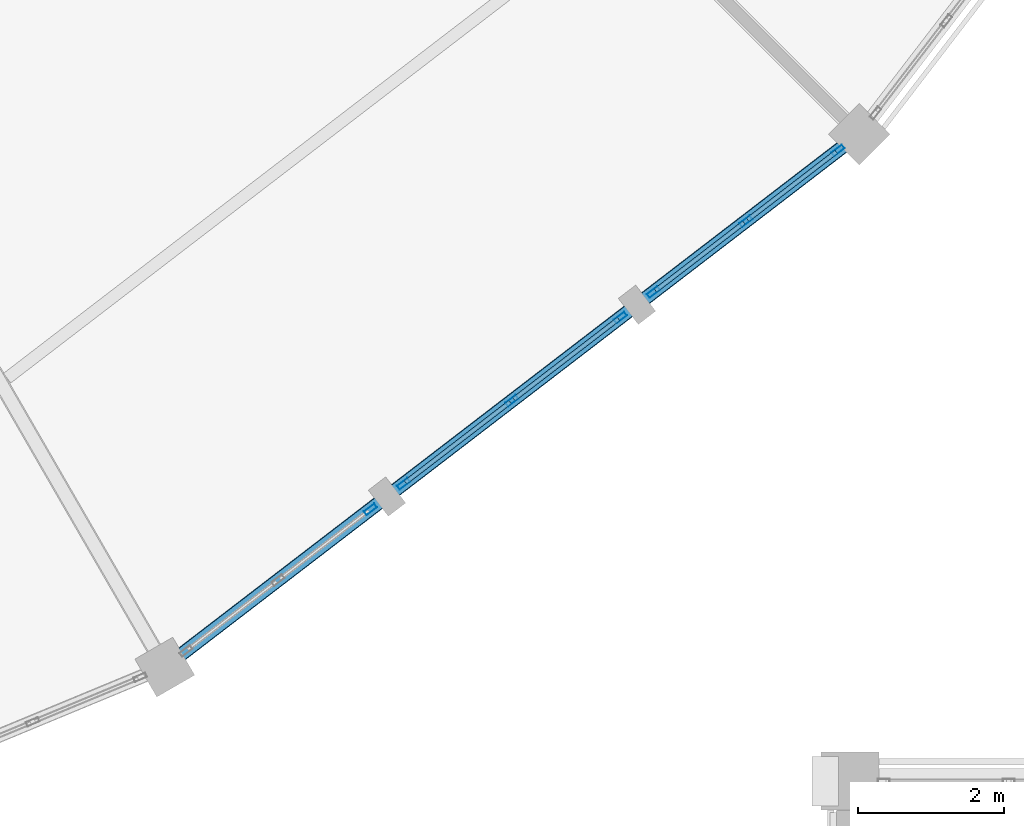
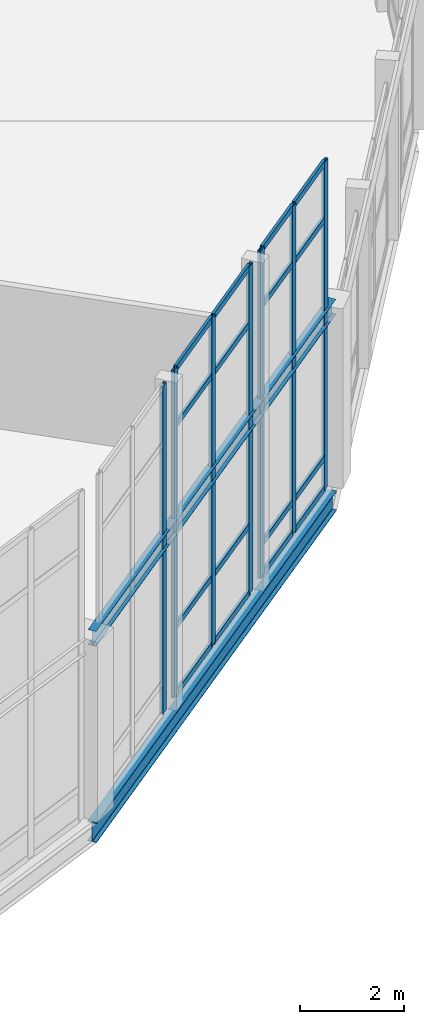
# One storey, part 93 of 170: 23 members, 2 beams, 3 elements without a shape of their own.
"""IFC4 building model written with IfcOpenShell, lengths in metres."""

from ifc_helpers import new_model, si_unit, direction, frame, origin, origin_2d, place, context, subcontext, project, spatial, hollow_rectangle, i_section, extrude, material, material_profile, profile_set, type_object, element, aggregate, save


model = new_model("IFC4")

# Units and contexts
model_context = context("Model", 3, precision=1e-05, world=origin(), true_north=direction((0.0, 1.0)))
body_context = subcontext(model_context, "Body", "Model", "MODEL_VIEW")
ifc_project = project(units=[si_unit("LENGTHUNIT", "METRE"), si_unit("AREAUNIT", "SQUARE_METRE"), si_unit("VOLUMEUNIT", "CUBIC_METRE"), si_unit("PLANEANGLEUNIT", "RADIAN"), si_unit("MASSUNIT", "GRAM", prefix="KILO")], contexts=[model_context])

# Site, building, storey
site_placement = place(None, origin())
site = spatial("IfcSite", under=ifc_project, at=site_placement, CompositionType="ELEMENT")
building_placement = place(site_placement, origin())
building = spatial("IfcBuilding", under=site, at=building_placement, Name="Vondelvale Polytechnic", CompositionType="ELEMENT")
storey_placement = place(building_placement, frame((0.0, 0.0, 5.39990234375)))
storey = spatial("IfcBuildingStorey", under=building, at=storey_placement, Name="L01", CompositionType="ELEMENT", Elevation=5.39990234375)

# Beams
ifc_material_1 = material(Name="Steel 300PLUS (fy = 300 MPa)", Category="steel")
ifc_material_profile_1 = material_profile(ifc_material_1, i_section(OverallWidth=0.1708984375, OverallDepth=0.35205078125, WebThickness=0.0068359375, FlangeThickness=0.009765625, FilletRadius=0.011474609375, at=origin_2d()), Name="360UB44.7")
ifc_profile_set_1 = profile_set([ifc_material_profile_1], Name="Steel 300PLUS (fy = 300 MPa)")
beam_type_1 = type_object("IfcBeamType", Name="BM-UB360L", PredefinedType="BEAM", material=ifc_profile_set_1)
beam_1_placement = place(storey_placement, frame((125.0, 32.162841796875, 4.024169921875), z_axis=(0.793349743808, 0.608766116008, 0.0), x_axis=(-0.608766116008, 0.793349743808, 0.0)))
element("IfcBeam", 1, at=beam_1_placement, inside=storey, type_object=beam_type_1, Name="L01 RE B-24", PredefinedType="BEAM", context=body_context, shape_type="SweptSolid", body=[
    extrude(i_section(OverallWidth=0.1708984375, OverallDepth=0.35205078125, WebThickness=0.0068359375, FlangeThickness=0.009765625, FilletRadius=0.011474609375, at=origin_2d()), origin(), (0.0, 0.0, 1.0), 12.00830078125),
])
ifc_material_profile_2 = material_profile(ifc_material_1, i_section(OverallWidth=0.18994140625, OverallDepth=0.45703125, WebThickness=0.009033203125, FlangeThickness=0.014404296875, FilletRadius=0.011474609375, at=origin_2d()), Name="460UB74.6")
ifc_profile_set_2 = profile_set([ifc_material_profile_2], Name="Steel 300PLUS (fy = 300 MPa)")
beam_type_2 = type_object("IfcBeamType", Name="BM-UB460", PredefinedType="BEAM", material=ifc_profile_set_2)
beam_2_placement = place(storey_placement, frame((125.0, 32.162841796875, -0.50830078125), z_axis=(0.793349743808, 0.608766116008, 0.0), x_axis=(-0.608766116008, 0.793349743808, 0.0)))
element("IfcBeam", 2, at=beam_2_placement, inside=storey, type_object=beam_type_2, Name="L01 RB B-13", PredefinedType="BEAM", context=body_context, shape_type="SweptSolid", body=[
    extrude(i_section(OverallWidth=0.18994140625, OverallDepth=0.45703125, WebThickness=0.009033203125, FlangeThickness=0.014404296875, FilletRadius=0.011474609375, at=origin_2d()), origin(), (0.0, 0.0, 1.0), 12.00830078125),
])

# Curtain wall, member
ifc_material_2 = material(Name="Glulam GL18 structural Tasmanian oak (fb = 42 MPa)", Category="wood")
curtain_wall_type = type_object("IfcCurtainWallType", Name="CW-RING-OUTER", PredefinedType="NOTDEFINED", material=ifc_material_2)
curtain_wall_1_placement = place(storey_placement, origin())
curtain_wall_1 = element("IfcCurtainWall", 3, at=curtain_wall_1_placement, inside=storey, type_object=curtain_wall_type, Name="L01 architectural curtain wall CW-04-345", PredefinedType="NOTDEFINED")
ifc_material_3 = material(Name="Anodised extruded aluminium 6063-T6", Category="aluminium")
ifc_material_profile_3 = material_profile(ifc_material_3, hollow_rectangle(XDim=0.06494140625, YDim=0.179931640625, WallThickness=0.00390625, at=origin_2d()), Name="CW-MUL-180x65")
ifc_profile_set_3 = profile_set([ifc_material_profile_3], Name="Anodised extruded aluminium 6063-T6")
member_type_1 = type_object("IfcMemberType", Name="CW-MUL-65x180", PredefinedType="MULLION", material=ifc_profile_set_3)
member_1_placement = place(storey_placement, frame((127.820556640625, 34.3271484375, 0.0), z_axis=(0.0, 0.0, 1.0), x_axis=(-0.608786860133, 0.793333825656, 0.0)))
member_1 = element("IfcMember", 4, at=member_1_placement, type_object=member_type_1, Name="CW-04-345 mullion 3", PredefinedType="MULLION", context=body_context, shape_type="SweptSolid", body=[
    extrude(hollow_rectangle(XDim=0.06494140625, YDim=0.179931640625, WallThickness=0.00390625, at=origin_2d()), origin(), (0.0, 0.0, 1.0), 7.661376953125),
])
aggregate(curtain_wall_1, [member_1])

# Curtain wall, members
curtain_wall_2_placement = place(storey_placement, origin())
curtain_wall_2 = element("IfcCurtainWall", 5, at=curtain_wall_2_placement, inside=storey, type_object=curtain_wall_type, Name="L01 architectural curtain wall CW-04-346", PredefinedType="NOTDEFINED")
member_2_placement = place(storey_placement, frame((128.276611328125, 34.677001953125, 0.0), z_axis=(0.0, 0.0, 1.0), x_axis=(-0.608771189063, 0.793345851043, 0.0)))
member_2 = element("IfcMember", 6, at=member_2_placement, type_object=member_type_1, Name="CW-04-346 mullion 1", PredefinedType="MULLION", context=body_context, shape_type="SweptSolid", body=[
    extrude(hollow_rectangle(XDim=0.06494140625, YDim=0.179931640625, WallThickness=0.00390625, at=origin_2d()), origin(), (0.0, 0.0, 1.0), 7.661376953125),
])
member_3_placement = place(storey_placement, frame((129.763427734375, 35.81787109375, 0.0), z_axis=(0.0, 0.0, 1.0), x_axis=(-0.608771189063, 0.793345851043, 0.0)))
member_3 = element("IfcMember", 7, at=member_3_placement, type_object=member_type_1, Name="CW-04-346 mullion 2", PredefinedType="MULLION", context=body_context, shape_type="SweptSolid", body=[
    extrude(hollow_rectangle(XDim=0.06494140625, YDim=0.179931640625, WallThickness=0.00390625, at=origin_2d()), origin(), (0.0, 0.0, 1.0), 7.661376953125),
])
member_4_placement = place(storey_placement, frame((131.250244140625, 36.958740234375, 0.0), z_axis=(0.0, 0.0, 1.0), x_axis=(-0.608771189063, 0.793345851043, 0.0)))
member_4 = element("IfcMember", 8, at=member_4_placement, type_object=member_type_1, Name="CW-04-346 mullion 3", PredefinedType="MULLION", context=body_context, shape_type="SweptSolid", body=[
    extrude(hollow_rectangle(XDim=0.06494140625, YDim=0.179931640625, WallThickness=0.00390625, at=origin_2d()), origin(), (0.0, 0.0, 1.0), 7.661376953125),
])

curtain_wall_3_placement = place(storey_placement, origin())
curtain_wall_3 = element("IfcCurtainWall", 9, at=curtain_wall_3_placement, inside=storey, type_object=curtain_wall_type, Name="L01 architectural curtain wall CW-04-347", PredefinedType="NOTDEFINED")
member_5_placement = place(storey_placement, frame((131.706298828125, 37.308837890625, 0.0), z_axis=(0.0, 0.0, 1.0), x_axis=(-0.608786860133, 0.793333825656, 0.0)))
member_5 = element("IfcMember", 10, at=member_5_placement, type_object=member_type_1, Name="CW-04-347 mullion 1", PredefinedType="MULLION", context=body_context, shape_type="SweptSolid", body=[
    extrude(hollow_rectangle(XDim=0.06494140625, YDim=0.179931640625, WallThickness=0.00390625, at=origin_2d()), origin(), (0.0, 0.0, 1.0), 7.661376953125),
])
member_6_placement = place(storey_placement, frame((132.9716796875, 38.27978515625, 0.0), z_axis=(0.0, 0.0, 1.0), x_axis=(-0.608786860133, 0.793333825656, 0.0)))
member_6 = element("IfcMember", 11, at=member_6_placement, type_object=member_type_1, Name="CW-04-347 mullion 2", PredefinedType="MULLION", context=body_context, shape_type="SweptSolid", body=[
    extrude(hollow_rectangle(XDim=0.06494140625, YDim=0.179931640625, WallThickness=0.00390625, at=origin_2d()), origin(), (0.0, 0.0, 1.0), 7.661376953125),
])
member_7_placement = place(storey_placement, frame((134.237060546875, 39.250732421875, 0.0), z_axis=(0.0, 0.0, 1.0), x_axis=(-0.608786860133, 0.793333825656, 0.0)))
member_7 = element("IfcMember", 12, at=member_7_placement, type_object=member_type_1, Name="CW-04-347 mullion 3", PredefinedType="MULLION", context=body_context, shape_type="SweptSolid", body=[
    extrude(hollow_rectangle(XDim=0.06494140625, YDim=0.179931640625, WallThickness=0.00390625, at=origin_2d()), origin(), (0.0, 0.0, 1.0), 7.661376953125),
])

# Member
ifc_material_profile_4 = material_profile(ifc_material_3, hollow_rectangle(XDim=0.06005859375, YDim=0.139892578125, WallThickness=0.00341796875, at=origin_2d()), Name="CW-TRN-140x60")
ifc_profile_set_4 = profile_set([ifc_material_profile_4], Name="Anodised extruded aluminium 6063-T6")
member_type_2 = type_object("IfcMemberType", Name="CW-TRN-60x140", PredefinedType="USERDEFINED", material=ifc_profile_set_4)
member_8_placement = place(storey_placement, frame((128.302490234375, 34.69677734375, 0.030029296875), z_axis=(0.793310842007, 0.608816809849, 0.0), x_axis=(-0.608816809849, 0.793310842007, 0.0)))
member_8 = element("IfcMember", 13, at=member_8_placement, type_object=member_type_2, Name="CW-04-346 transom 1.1", ObjectType="TRANSOM", PredefinedType="USERDEFINED", context=body_context, shape_type="SweptSolid", body=[
    extrude(hollow_rectangle(XDim=0.06005859375, YDim=0.139892578125, WallThickness=0.00341796875, at=origin_2d()), origin(), (0.0, 0.0, 1.0), 1.808837890625),
])

member_9_placement = place(storey_placement, frame((128.302490234375, 34.69677734375, 1.60009765625), z_axis=(0.793310842007, 0.608816809849, 0.0), x_axis=(-0.608816809849, 0.793310842007, 0.0)))
member_9 = element("IfcMember", 14, at=member_9_placement, type_object=member_type_2, Name="CW-04-346 transom 1.2", ObjectType="TRANSOM", PredefinedType="USERDEFINED", context=body_context, shape_type="SweptSolid", body=[
    extrude(hollow_rectangle(XDim=0.06005859375, YDim=0.139892578125, WallThickness=0.00341796875, at=origin_2d()), origin(), (0.0, 0.0, 1.0), 1.808837890625),
])

member_10_placement = place(storey_placement, frame((128.302490234375, 34.69677734375, 6.3115234375), z_axis=(0.793310842007, 0.608816809849, 0.0), x_axis=(-0.608816809849, 0.793310842007, 0.0)))
member_10 = element("IfcMember", 15, at=member_10_placement, type_object=member_type_2, Name="CW-04-346 transom 1.3", ObjectType="TRANSOM", PredefinedType="USERDEFINED", context=body_context, shape_type="SweptSolid", body=[
    extrude(hollow_rectangle(XDim=0.06005859375, YDim=0.139892578125, WallThickness=0.00341796875, at=origin_2d()), origin(), (0.0, 0.0, 1.0), 1.808837890625),
])

member_11_placement = place(storey_placement, frame((128.302490234375, 34.69677734375, 7.631591796875), z_axis=(0.793310842007, 0.608816809849, 0.0), x_axis=(-0.608816809849, 0.793310842007, 0.0)))
member_11 = element("IfcMember", 16, at=member_11_placement, type_object=member_type_2, Name="CW-04-346 transom 1.4", ObjectType="TRANSOM", PredefinedType="USERDEFINED", context=body_context, shape_type="SweptSolid", body=[
    extrude(hollow_rectangle(XDim=0.06005859375, YDim=0.139892578125, WallThickness=0.00341796875, at=origin_2d()), origin(), (0.0, 0.0, 1.0), 1.808837890625),
])

member_12_placement = place(storey_placement, frame((129.789306640625, 35.837646484375, 0.030029296875), z_axis=(0.793310842007, 0.608816809849, 0.0), x_axis=(-0.608816809849, 0.793310842007, 0.0)))
member_12 = element("IfcMember", 17, at=member_12_placement, type_object=member_type_2, Name="CW-04-346 transom 2.1", ObjectType="TRANSOM", PredefinedType="USERDEFINED", context=body_context, shape_type="SweptSolid", body=[
    extrude(hollow_rectangle(XDim=0.06005859375, YDim=0.139892578125, WallThickness=0.00341796875, at=origin_2d()), origin(), (0.0, 0.0, 1.0), 1.808837890625),
])

member_13_placement = place(storey_placement, frame((129.789306640625, 35.837646484375, 1.60009765625), z_axis=(0.793310842007, 0.608816809849, 0.0), x_axis=(-0.608816809849, 0.793310842007, 0.0)))
member_13 = element("IfcMember", 18, at=member_13_placement, type_object=member_type_2, Name="CW-04-346 transom 2.2", ObjectType="TRANSOM", PredefinedType="USERDEFINED", context=body_context, shape_type="SweptSolid", body=[
    extrude(hollow_rectangle(XDim=0.06005859375, YDim=0.139892578125, WallThickness=0.00341796875, at=origin_2d()), origin(), (0.0, 0.0, 1.0), 1.808837890625),
])

member_14_placement = place(storey_placement, frame((129.789306640625, 35.837646484375, 6.3115234375), z_axis=(0.793310842007, 0.608816809849, 0.0), x_axis=(-0.608816809849, 0.793310842007, 0.0)))
member_14 = element("IfcMember", 19, at=member_14_placement, type_object=member_type_2, Name="CW-04-346 transom 2.3", ObjectType="TRANSOM", PredefinedType="USERDEFINED", context=body_context, shape_type="SweptSolid", body=[
    extrude(hollow_rectangle(XDim=0.06005859375, YDim=0.139892578125, WallThickness=0.00341796875, at=origin_2d()), origin(), (0.0, 0.0, 1.0), 1.808837890625),
])

member_15_placement = place(storey_placement, frame((129.789306640625, 35.837646484375, 7.631591796875), z_axis=(0.793310842007, 0.608816809849, 0.0), x_axis=(-0.608816809849, 0.793310842007, 0.0)))
member_15 = element("IfcMember", 20, at=member_15_placement, type_object=member_type_2, Name="CW-04-346 transom 2.4", ObjectType="TRANSOM", PredefinedType="USERDEFINED", context=body_context, shape_type="SweptSolid", body=[
    extrude(hollow_rectangle(XDim=0.06005859375, YDim=0.139892578125, WallThickness=0.00341796875, at=origin_2d()), origin(), (0.0, 0.0, 1.0), 1.808837890625),
])

aggregate(curtain_wall_2, [member_2, member_3, member_4, member_8, member_9, member_10, member_11, member_12, member_13, member_14, member_15])

member_16_placement = place(storey_placement, frame((131.732177734375, 37.32861328125, 0.030029296875), z_axis=(0.793364883229, 0.608746385664, 0.0), x_axis=(-0.608746385664, 0.793364883229, 0.0)))
member_16 = element("IfcMember", 21, at=member_16_placement, type_object=member_type_2, Name="CW-04-347 transom 1.1", ObjectType="TRANSOM", PredefinedType="USERDEFINED", context=body_context, shape_type="SweptSolid", body=[
    extrude(hollow_rectangle(XDim=0.06005859375, YDim=0.139892578125, WallThickness=0.00341796875, at=origin_2d()), origin(), (0.0, 0.0, 1.0), 1.530029296875),
])

member_17_placement = place(storey_placement, frame((131.732177734375, 37.32861328125, 0.75), z_axis=(0.793364883229, 0.608746385664, 0.0), x_axis=(-0.608746385664, 0.793364883229, 0.0)))
member_17 = element("IfcMember", 22, at=member_17_placement, type_object=member_type_2, Name="CW-04-347 transom 1.2", ObjectType="TRANSOM", PredefinedType="USERDEFINED", context=body_context, shape_type="SweptSolid", body=[
    extrude(hollow_rectangle(XDim=0.06005859375, YDim=0.139892578125, WallThickness=0.00341796875, at=origin_2d()), origin(), (0.0, 0.0, 1.0), 1.530029296875),
])

member_18_placement = place(storey_placement, frame((131.732177734375, 37.32861328125, 6.3115234375), z_axis=(0.793364883229, 0.608746385664, 0.0), x_axis=(-0.608746385664, 0.793364883229, 0.0)))
member_18 = element("IfcMember", 23, at=member_18_placement, type_object=member_type_2, Name="CW-04-347 transom 1.3", ObjectType="TRANSOM", PredefinedType="USERDEFINED", context=body_context, shape_type="SweptSolid", body=[
    extrude(hollow_rectangle(XDim=0.06005859375, YDim=0.139892578125, WallThickness=0.00341796875, at=origin_2d()), origin(), (0.0, 0.0, 1.0), 1.530029296875),
])

member_19_placement = place(storey_placement, frame((131.732177734375, 37.32861328125, 7.631591796875), z_axis=(0.793364883229, 0.608746385664, 0.0), x_axis=(-0.608746385664, 0.793364883229, 0.0)))
member_19 = element("IfcMember", 24, at=member_19_placement, type_object=member_type_2, Name="CW-04-347 transom 1.4", ObjectType="TRANSOM", PredefinedType="USERDEFINED", context=body_context, shape_type="SweptSolid", body=[
    extrude(hollow_rectangle(XDim=0.06005859375, YDim=0.139892578125, WallThickness=0.00341796875, at=origin_2d()), origin(), (0.0, 0.0, 1.0), 1.530029296875),
])

member_20_placement = place(storey_placement, frame((132.99755859375, 38.299560546875, 0.030029296875), z_axis=(0.793364883229, 0.608746385664, 0.0), x_axis=(-0.608746385664, 0.793364883229, 0.0)))
member_20 = element("IfcMember", 25, at=member_20_placement, type_object=member_type_2, Name="CW-04-347 transom 2.1", ObjectType="TRANSOM", PredefinedType="USERDEFINED", context=body_context, shape_type="SweptSolid", body=[
    extrude(hollow_rectangle(XDim=0.06005859375, YDim=0.139892578125, WallThickness=0.00341796875, at=origin_2d()), origin(), (0.0, 0.0, 1.0), 1.530029296875),
])

member_21_placement = place(storey_placement, frame((132.99755859375, 38.299560546875, 0.75), z_axis=(0.793364883229, 0.608746385664, 0.0), x_axis=(-0.608746385664, 0.793364883229, 0.0)))
member_21 = element("IfcMember", 26, at=member_21_placement, type_object=member_type_2, Name="CW-04-347 transom 2.2", ObjectType="TRANSOM", PredefinedType="USERDEFINED", context=body_context, shape_type="SweptSolid", body=[
    extrude(hollow_rectangle(XDim=0.06005859375, YDim=0.139892578125, WallThickness=0.00341796875, at=origin_2d()), origin(), (0.0, 0.0, 1.0), 1.530029296875),
])

member_22_placement = place(storey_placement, frame((132.99755859375, 38.299560546875, 6.3115234375), z_axis=(0.793364883229, 0.608746385664, 0.0), x_axis=(-0.608746385664, 0.793364883229, 0.0)))
member_22 = element("IfcMember", 27, at=member_22_placement, type_object=member_type_2, Name="CW-04-347 transom 2.3", ObjectType="TRANSOM", PredefinedType="USERDEFINED", context=body_context, shape_type="SweptSolid", body=[
    extrude(hollow_rectangle(XDim=0.06005859375, YDim=0.139892578125, WallThickness=0.00341796875, at=origin_2d()), origin(), (0.0, 0.0, 1.0), 1.530029296875),
])

member_23_placement = place(storey_placement, frame((132.99755859375, 38.299560546875, 7.631591796875), z_axis=(0.793364883229, 0.608746385664, 0.0), x_axis=(-0.608746385664, 0.793364883229, 0.0)))
member_23 = element("IfcMember", 28, at=member_23_placement, type_object=member_type_2, Name="CW-04-347 transom 2.4", ObjectType="TRANSOM", PredefinedType="USERDEFINED", context=body_context, shape_type="SweptSolid", body=[
    extrude(hollow_rectangle(XDim=0.06005859375, YDim=0.139892578125, WallThickness=0.00341796875, at=origin_2d()), origin(), (0.0, 0.0, 1.0), 1.530029296875),
])

aggregate(curtain_wall_3, [member_5, member_6, member_7, member_16, member_17, member_18, member_19, member_20, member_21, member_22, member_23])

save(model, "model.ifc")
